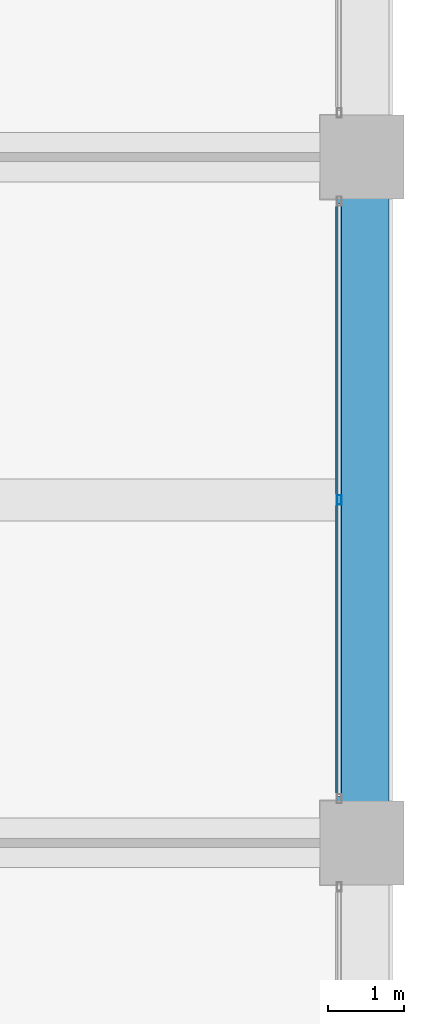
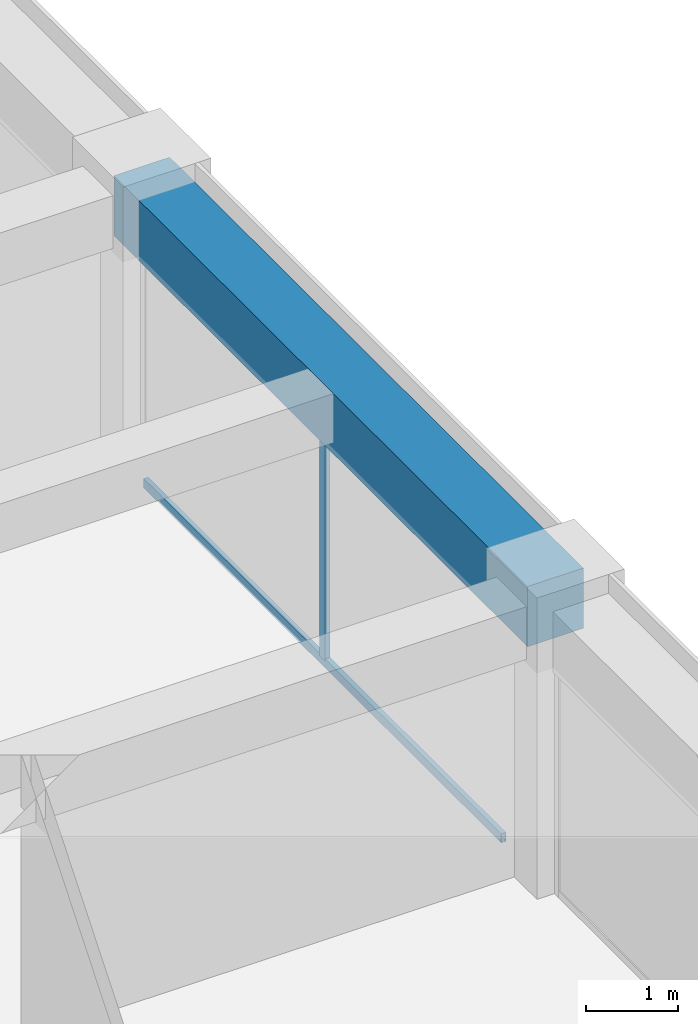
# One storey, part 25 of 44: 2 members, 1 beam, 1 element without a shape of its own.
"""IFC4 building model written with IfcOpenShell, lengths in metres."""

from ifc_helpers import new_model, si_unit, direction, frame, origin, origin_2d, place, context, subcontext, project, spatial, rectangle, hollow_rectangle, extrude, material, material_profile, profile_set, type_object, element, aggregate, save


model = new_model("IFC4")

# Units and contexts
model_context = context("Model", 3, precision=1e-05, world=origin(), true_north=direction((0.0, 1.0)))
body_context = subcontext(model_context, "Body", "Model", "MODEL_VIEW")
ifc_project = project(units=[si_unit("LENGTHUNIT", "METRE"), si_unit("AREAUNIT", "SQUARE_METRE"), si_unit("VOLUMEUNIT", "CUBIC_METRE"), si_unit("PLANEANGLEUNIT", "RADIAN"), si_unit("MASSUNIT", "GRAM", prefix="KILO")], contexts=[model_context])

# Site, building, storey
site_placement = place(None, origin())
site = spatial("IfcSite", under=ifc_project, at=site_placement, CompositionType="ELEMENT")
building_placement = place(site_placement, origin())
building = spatial("IfcBuilding", under=site, at=building_placement, Name="Zorevar Civic Tower", CompositionType="ELEMENT")
storey_placement = place(building_placement, frame((0.0, 0.0, 251.39990234375)))
storey = spatial("IfcBuildingStorey", under=building, at=storey_placement, Name="L61", CompositionType="ELEMENT", Elevation=251.39990234375)

# Curtain wall, members
ifc_material_1 = material(Name="Dark grey solar-control glass in black aluminium frame", Category="aluminium")
curtain_wall_type = type_object("IfcCurtainWallType", Name="Curtain wall CW5 top zone", PredefinedType="NOTDEFINED", material=ifc_material_1)
curtain_wall_placement = place(storey_placement, origin())
curtain_wall = element("IfcCurtainWall", 1, at=curtain_wall_placement, inside=storey, type_object=curtain_wall_type, Name="CW5 L61", PredefinedType="NOTDEFINED")
ifc_material_2 = material(Name="Aluminium, black anodised", Category="aluminium")
ifc_material_profile_1 = material_profile(ifc_material_2, hollow_rectangle(XDim=0.06005859375, YDim=0.1201171875, WallThickness=0.0029296875, at=origin_2d()), Name="AL 120x60x3")
ifc_profile_set_1 = profile_set([ifc_material_profile_1], Name="Aluminium, black anodised")
member_type_1 = type_object("IfcMemberType", Name="CW5 mullion AL 120x60x3", PredefinedType="MULLION", material=ifc_profile_set_1)
member_1_placement = place(storey_placement, frame((53.699951171875, 22.5, 0.06005859375), z_axis=(0.0, 0.0, 1.0), x_axis=(-1.0, 0.0, 0.0)))
member_1 = element("IfcMember", 2, at=member_1_placement, type_object=member_type_1, Name="CW5 mullion 2", PredefinedType="MULLION", context=body_context, shape_type="SweptSolid", body=[
    extrude(hollow_rectangle(XDim=0.06005859375, YDim=0.1201171875, WallThickness=0.0029296875, at=origin_2d()), origin(), (0.0, 0.0, 1.0), 2.89013671875),
])
ifc_material_3 = material(Name="Aluminium, black anodised", Category="aluminium")
ifc_material_profile_2 = material_profile(ifc_material_3, hollow_rectangle(XDim=0.06005859375, YDim=0.1201171875, WallThickness=0.0029296875, at=origin_2d()), Name="AL 120x60x3")
ifc_profile_set_2 = profile_set([ifc_material_profile_2], Name="Aluminium, black anodised")
member_type_2 = type_object("IfcMemberType", Name="CW5 transom AL 120x60x3", PredefinedType="USERDEFINED", material=ifc_profile_set_2)
member_2_placement = place(storey_placement, frame((53.699951171875, 18.610107421875, 0.030029296875), z_axis=(0.0, 1.0, 0.0), x_axis=(-1.0, 0.0, 0.0)))
member_2 = element("IfcMember", 3, at=member_2_placement, type_object=member_type_2, Name="CW5 sill transom", ObjectType="TRANSOM", PredefinedType="USERDEFINED", context=body_context, shape_type="SweptSolid", body=[
    extrude(hollow_rectangle(XDim=0.06005859375, YDim=0.1201171875, WallThickness=0.0029296875, at=origin_2d()), origin(), (0.0, 0.0, 1.0), 7.77978515625),
])
aggregate(curtain_wall, [member_1, member_2])

# Beam
ifc_material_4 = material(Name="Concrete C50/60", Category="concrete")
ifc_material_profile_3 = material_profile(ifc_material_4, rectangle(XDim=0.699951171875, YDim=0.800048828125, at=origin_2d()), Name="RC 700x800")
ifc_profile_set_3 = profile_set([ifc_material_profile_3], Name="Concrete C50/60")
beam_type = type_object("IfcBeamType", Name="Edge beam RC 700x800", PredefinedType="SPANDREL", material=ifc_profile_set_3)
beam_placement = place(storey_placement, frame((54.0, 18.0, 3.35009765625), z_axis=(0.0, 1.0, 0.0), x_axis=(-1.0, 0.0, 0.0)))
element("IfcBeam", 4, at=beam_placement, inside=storey, type_object=beam_type, Name="Edge beam L62", PredefinedType="SPANDREL", context=body_context, shape_type="SweptSolid", body=[
    extrude(rectangle(XDim=0.699951171875, YDim=0.800048828125, at=origin_2d()), origin(), (0.0, 0.0, 1.0), 9.0),
])

save(model, "model.ifc")
